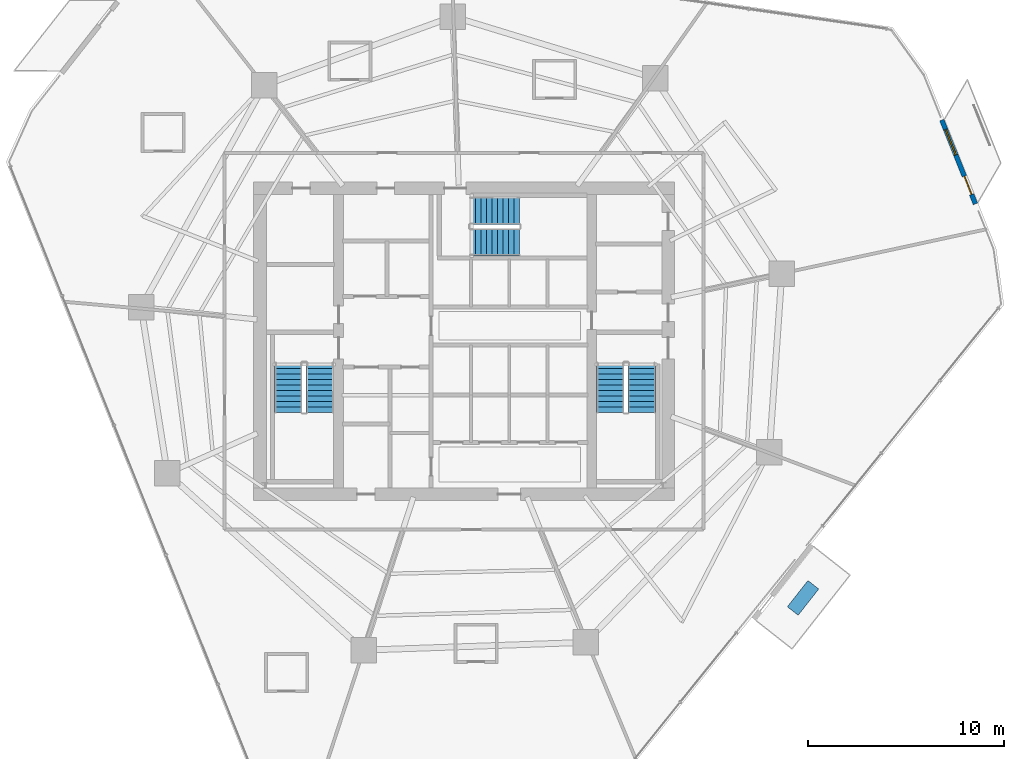
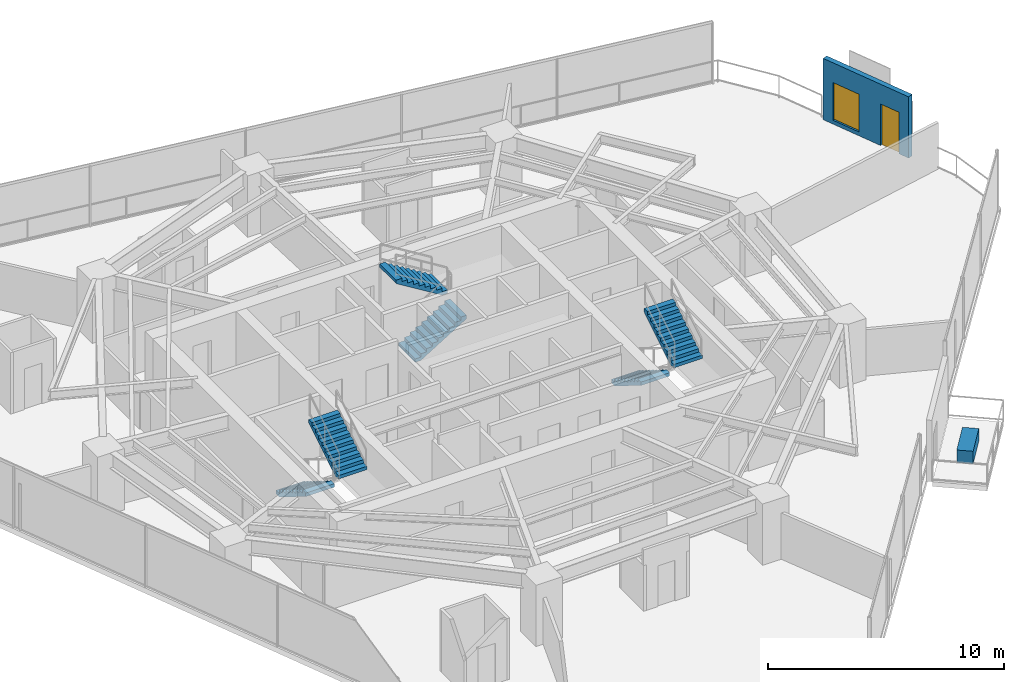
# One storey, part 28 of 32: 6 stair flights, 1 discrete accessory, 1 door, 1 wall, 1 window, 2 openings, 3 elements without a shape of their own.
"""IFC4 building model written with IfcOpenShell, lengths in metres."""

from ifc_helpers import new_model, si_unit, direction, frame, frame_2d, origin, origin_2d, place, context, subcontext, project, spatial, polyline, rectangle, outline, extrude, material, layer, layer_set, type_object, element, fill, aggregate, save


model = new_model("IFC4")

# Units and contexts
model_context = context("Model", 3, precision=1e-05, world=origin(), true_north=direction((0.0, 1.0)))
body_context = subcontext(model_context, "Body", "Model", "MODEL_VIEW")
ifc_project = project(units=[si_unit("LENGTHUNIT", "METRE"), si_unit("AREAUNIT", "SQUARE_METRE"), si_unit("VOLUMEUNIT", "CUBIC_METRE"), si_unit("PLANEANGLEUNIT", "RADIAN"), si_unit("MASSUNIT", "GRAM", prefix="KILO")], contexts=[model_context])

# Site, building, storey
site_placement = place(None, origin())
site = spatial("IfcSite", under=ifc_project, at=site_placement, CompositionType="ELEMENT")
building_placement = place(site_placement, origin())
building = spatial("IfcBuilding", under=site, at=building_placement, Name="Qarnah Convention Tower", CompositionType="ELEMENT")
storey_placement = place(building_placement, frame((0.0, 0.0, 37.35009765625)))
storey = spatial("IfcBuildingStorey", under=building, at=storey_placement, Name="L08", CompositionType="ELEMENT", Elevation=37.35009765625)

# Wall, openings, door, window
ifc_material_1 = material(Name="Precast concrete C45/55", Category="concrete")
ifc_layer = layer(ifc_material_1, 0.239990234375)
ifc_layer_set = layer_set([ifc_layer], Name="Precast concrete C45/55")
wall_type = type_object("IfcWallType", Name="WL-EXT-BAL-240", PredefinedType="SOLIDWALL", material=ifc_layer_set)
wall_placement = place(storey_placement, frame((61.541015625, 37.66796875, 0.0), z_axis=(0.0, 0.0, 1.0), x_axis=(0.371939648456, -0.92825691374, 0.0)))
wall = element("IfcWall", 1, at=wall_placement, inside=storey, type_object=wall_type, Name="L08 loggia threshold wall BAL-L08-C1", PredefinedType="SOLIDWALL", context=body_context, shape_type="SweptSolid", body=[
    extrude(rectangle(XDim=4.60009765625, YDim=0.239990234375, at=frame_2d((2.300048828125, 0.0))), origin(), (0.0, 0.0, 1.0), 3.169921875),
])
opening_1_placement = place(wall_placement, frame((3.080078125, 0.0, 0.0)))
opening_1 = element("IfcOpeningElement", 2, at=opening_1_placement, cuts=wall, Name="Opening BD-0801", PredefinedType="OPENING", context=body_context, shape_type="SweptSolid", body=[
    extrude(rectangle(XDim=1.0, YDim=2.14990234375, at=frame_2d((0.5, 1.074951171875))), frame((0.0, 0.1298828125, 0.0), z_axis=(0.0, -1.0, 0.0), x_axis=(1.0, 0.0, 0.0)), (0.0, 0.0, 1.0), 0.260009765625),
])
opening_2_placement = place(wall_placement, frame((0.52001953125, 0.0, 0.199951171875)))
opening_2 = element("IfcOpeningElement", 3, at=opening_2_placement, cuts=wall, Name="Opening WN4", PredefinedType="OPENING", context=body_context, shape_type="SweptSolid", body=[
    extrude(rectangle(XDim=1.39990234375, YDim=1.949951171875, at=frame_2d((0.699951171875, 0.97509765625))), frame((0.0, 0.1298828125, 0.0), z_axis=(0.0, -1.0, 0.0), x_axis=(1.0, 0.0, 0.0)), (0.0, 0.0, 1.0), 0.260009765625),
])
ifc_material_2 = material(Name="Black anodised aluminium", Category="aluminium")
door_type = type_object("IfcDoorType", Name="DT-BAL-1000", OperationType="NOTDEFINED", PredefinedType="DOOR", material=ifc_material_2)
door_placement = place(opening_1_placement, origin())
door = element("IfcDoor", 4, at=door_placement, inside=storey, type_object=door_type, Name="L08 balcony terrace door BAL-L08-C1", OperationType="SINGLE_SWING_RIGHT", OverallHeight=2.14990234375, OverallWidth=1.0, PredefinedType="DOOR", context=body_context, shape_type="SweptSolid", body=[
    extrude(rectangle(XDim=1.0, YDim=2.14990234375, at=frame_2d((0.5, 1.074951171875))), frame((0.0, 0.02490234375, 0.0), z_axis=(0.0, -1.0, 0.0), x_axis=(1.0, 0.0, 0.0)), (0.0, 0.0, 1.0), 0.050048828125),
])
fill(opening_1, door)
ifc_material_3 = material(Name="Tempered Low-E dark glass", Category="glass")
window_type = type_object("IfcWindowType", Name="WT-BAL-1400X2000", PartitioningType="SINGLE_PANEL", PredefinedType="WINDOW", material=ifc_material_3)
window_placement = place(opening_2_placement, origin())
window = element("IfcWindow", 5, at=window_placement, inside=storey, type_object=window_type, Name="Window BW-BAL-L08-C1", OverallHeight=1.949951171875, OverallWidth=1.39990234375, PartitioningType="SINGLE_PANEL", PredefinedType="WINDOW", context=body_context, shape_type="SweptSolid", body=[
    extrude(rectangle(XDim=1.39990234375, YDim=1.949951171875, at=frame_2d((0.699951171875, 0.97509765625))), frame((0.0, 0.030029296875, 0.0), z_axis=(0.0, -1.0, 0.0), x_axis=(1.0, 0.0, 0.0)), (0.0, 0.0, 1.0), 0.06005859375),
])
fill(opening_2, window)

# Stair, stair flights
ifc_material_4 = material(Name="Concrete C50/60", Category="concrete")
stair_type = type_object("IfcStairType", Name="STR-HTL", PredefinedType="HALF_TURN_STAIR", material=ifc_material_4)
stair_1_placement = place(storey_placement, origin())
stair_1 = element("IfcStair", 6, at=stair_1_placement, inside=storey, type_object=stair_type, Name="L08 Core exit stair ST-1", PredefinedType="HALF_TURN_STAIR")
stair_flight_type = type_object("IfcStairFlightType", Name="FLT-HTL", PredefinedType="STRAIGHT", material=ifc_material_4)
stair_flight_1_placement = place(storey_placement, frame((28.25, 25.300048828125, 0.0), z_axis=(0.0, 0.0, 1.0), x_axis=(0.0, -1.0, 0.0)))
stair_flight_1 = element("IfcStairFlight", 7, at=stair_flight_1_placement, type_object=stair_flight_type, Name="ST-1 flight 1", NumberOfRisers=10, NumberOfTreads=9, PredefinedType="STRAIGHT", RiserHeight=0.1725, TreadLength=0.28, context=body_context, shape_type="SweptSolid", body=[
    extrude(outline(polyline([(0.0, 0.0), (0.0, 0.172607421875), (0.280029296875, 0.172607421875), (0.280029296875, 0.344970703125), (0.56005859375, 0.344970703125), (0.56005859375, 0.517578125), (0.840087890625, 0.517578125), (0.840087890625, 0.68994140625), (1.1201171875, 0.68994140625), (1.1201171875, 0.862548828125), (1.39990234375, 0.862548828125), (1.39990234375, 1.034912109375), (1.679931640625, 1.034912109375), (1.679931640625, 1.20751953125), (1.9599609375, 1.20751953125), (1.9599609375, 1.3798828125), (2.239990234375, 1.3798828125), (2.239990234375, 1.552490234375), (2.52001953125, 1.552490234375), (2.52001953125, 1.72509765625), (2.52001953125, 1.37646484375), (0.285888671875, 0.0), (0.0, 0.0)])), frame((0.0, 0.699951171875, 0.0), z_axis=(0.0, -1.0, 0.0), x_axis=(1.0, 0.0, 0.0)), (0.0, 0.0, 1.0), 1.39990234375),
])
stair_flight_2_placement = place(storey_placement, frame((29.85009765625, 22.780029296875, 1.724853515625), z_axis=(0.0, 0.0, 1.0), x_axis=(0.0, 1.0, 0.0)))
stair_flight_2 = element("IfcStairFlight", 8, at=stair_flight_2_placement, type_object=stair_flight_type, Name="ST-1 flight 2", NumberOfRisers=10, NumberOfTreads=9, PredefinedType="STRAIGHT", RiserHeight=0.1725, TreadLength=0.28, context=body_context, shape_type="SweptSolid", body=[
    extrude(outline(polyline([(0.0, 0.0), (0.0, 0.172607421875), (0.280029296875, 0.172607421875), (0.280029296875, 0.344970703125), (0.56005859375, 0.344970703125), (0.56005859375, 0.517578125), (0.840087890625, 0.517578125), (0.840087890625, 0.68994140625), (1.1201171875, 0.68994140625), (1.1201171875, 0.862548828125), (1.39990234375, 0.862548828125), (1.39990234375, 1.034912109375), (1.679931640625, 1.034912109375), (1.679931640625, 1.20751953125), (1.9599609375, 1.20751953125), (1.9599609375, 1.3798828125), (2.239990234375, 1.3798828125), (2.239990234375, 1.552490234375), (2.52001953125, 1.552490234375), (2.52001953125, 1.72509765625), (2.52001953125, 1.37646484375), (0.285888671875, 0.0), (0.0, 0.0)])), frame((0.0, 0.699951171875, 0.0), z_axis=(0.0, -1.0, 0.0), x_axis=(1.0, 0.0, 0.0)), (0.0, 0.0, 1.0), 1.39990234375),
])
aggregate(stair_1, [stair_flight_1, stair_flight_2])

stair_2_placement = place(storey_placement, origin())
stair_2 = element("IfcStair", 9, at=stair_2_placement, inside=storey, type_object=stair_type, Name="L08 Core exit stair ST-2", PredefinedType="HALF_TURN_STAIR")
stair_flight_3_placement = place(storey_placement, frame((44.64990234375, 25.300048828125, 0.0), z_axis=(0.0, 0.0, 1.0), x_axis=(0.0, -1.0, 0.0)))
stair_flight_3 = element("IfcStairFlight", 10, at=stair_flight_3_placement, type_object=stair_flight_type, Name="ST-2 flight 1", NumberOfRisers=10, NumberOfTreads=9, PredefinedType="STRAIGHT", RiserHeight=0.1725, TreadLength=0.28, context=body_context, shape_type="SweptSolid", body=[
    extrude(outline(polyline([(0.0, 0.0), (0.0, 0.172607421875), (0.280029296875, 0.172607421875), (0.280029296875, 0.344970703125), (0.56005859375, 0.344970703125), (0.56005859375, 0.517578125), (0.840087890625, 0.517578125), (0.840087890625, 0.68994140625), (1.1201171875, 0.68994140625), (1.1201171875, 0.862548828125), (1.39990234375, 0.862548828125), (1.39990234375, 1.034912109375), (1.679931640625, 1.034912109375), (1.679931640625, 1.20751953125), (1.9599609375, 1.20751953125), (1.9599609375, 1.3798828125), (2.239990234375, 1.3798828125), (2.239990234375, 1.552490234375), (2.52001953125, 1.552490234375), (2.52001953125, 1.72509765625), (2.52001953125, 1.37646484375), (0.285888671875, 0.0), (0.0, 0.0)])), frame((0.0, 0.699951171875, 0.0), z_axis=(0.0, -1.0, 0.0), x_axis=(1.0, 0.0, 0.0)), (0.0, 0.0, 1.0), 1.39990234375),
])
stair_flight_4_placement = place(storey_placement, frame((46.25, 22.780029296875, 1.724853515625), z_axis=(0.0, 0.0, 1.0), x_axis=(0.0, 1.0, 0.0)))
stair_flight_4 = element("IfcStairFlight", 11, at=stair_flight_4_placement, type_object=stair_flight_type, Name="ST-2 flight 2", NumberOfRisers=10, NumberOfTreads=9, PredefinedType="STRAIGHT", RiserHeight=0.1725, TreadLength=0.28, context=body_context, shape_type="SweptSolid", body=[
    extrude(outline(polyline([(0.0, 0.0), (0.0, 0.172607421875), (0.280029296875, 0.172607421875), (0.280029296875, 0.344970703125), (0.56005859375, 0.344970703125), (0.56005859375, 0.517578125), (0.840087890625, 0.517578125), (0.840087890625, 0.68994140625), (1.1201171875, 0.68994140625), (1.1201171875, 0.862548828125), (1.39990234375, 0.862548828125), (1.39990234375, 1.034912109375), (1.679931640625, 1.034912109375), (1.679931640625, 1.20751953125), (1.9599609375, 1.20751953125), (1.9599609375, 1.3798828125), (2.239990234375, 1.3798828125), (2.239990234375, 1.552490234375), (2.52001953125, 1.552490234375), (2.52001953125, 1.72509765625), (2.52001953125, 1.37646484375), (0.285888671875, 0.0), (0.0, 0.0)])), frame((0.0, 0.699951171875, 0.0), z_axis=(0.0, -1.0, 0.0), x_axis=(1.0, 0.0, 0.0)), (0.0, 0.0, 1.0), 1.39990234375),
])
aggregate(stair_2, [stair_flight_3, stair_flight_4])

stair_3_placement = place(storey_placement, origin())
stair_3 = element("IfcStair", 12, at=stair_3_placement, inside=storey, type_object=stair_type, Name="L08 Core exit stair ST-3", PredefinedType="HALF_TURN_STAIR")
stair_flight_5_placement = place(storey_placement, frame((37.5, 31.449951171875, 0.0), z_axis=(0.0, 0.0, 1.0), x_axis=(1.0, 0.0, 0.0)))
stair_flight_5 = element("IfcStairFlight", 13, at=stair_flight_5_placement, type_object=stair_flight_type, Name="ST-3 flight 1", NumberOfRisers=10, NumberOfTreads=9, PredefinedType="STRAIGHT", RiserHeight=0.1725, TreadLength=0.28, context=body_context, shape_type="SweptSolid", body=[
    extrude(outline(polyline([(0.0, 0.0), (0.0, 0.172607421875), (0.280029296875, 0.172607421875), (0.280029296875, 0.344970703125), (0.56005859375, 0.344970703125), (0.56005859375, 0.517578125), (0.840087890625, 0.517578125), (0.840087890625, 0.68994140625), (1.1201171875, 0.68994140625), (1.1201171875, 0.862548828125), (1.39990234375, 0.862548828125), (1.39990234375, 1.034912109375), (1.679931640625, 1.034912109375), (1.679931640625, 1.20751953125), (1.9599609375, 1.20751953125), (1.9599609375, 1.3798828125), (2.239990234375, 1.3798828125), (2.239990234375, 1.552490234375), (2.52001953125, 1.552490234375), (2.52001953125, 1.72509765625), (2.52001953125, 1.37646484375), (0.285888671875, 0.0), (0.0, 0.0)])), frame((0.0, 0.699951171875, 0.0), z_axis=(0.0, -1.0, 0.0), x_axis=(1.0, 0.0, 0.0)), (0.0, 0.0, 1.0), 1.39990234375),
])
stair_flight_6_placement = place(storey_placement, frame((40.02001953125, 33.050048828125, 1.724853515625), z_axis=(0.0, 0.0, 1.0), x_axis=(-1.0, 0.0, 0.0)))
stair_flight_6 = element("IfcStairFlight", 14, at=stair_flight_6_placement, type_object=stair_flight_type, Name="ST-3 flight 2", NumberOfRisers=10, NumberOfTreads=9, PredefinedType="STRAIGHT", RiserHeight=0.1725, TreadLength=0.28, context=body_context, shape_type="SweptSolid", body=[
    extrude(outline(polyline([(0.0, 0.0), (0.0, 0.172607421875), (0.280029296875, 0.172607421875), (0.280029296875, 0.344970703125), (0.56005859375, 0.344970703125), (0.56005859375, 0.517578125), (0.840087890625, 0.517578125), (0.840087890625, 0.68994140625), (1.1201171875, 0.68994140625), (1.1201171875, 0.862548828125), (1.39990234375, 0.862548828125), (1.39990234375, 1.034912109375), (1.679931640625, 1.034912109375), (1.679931640625, 1.20751953125), (1.9599609375, 1.20751953125), (1.9599609375, 1.3798828125), (2.239990234375, 1.3798828125), (2.239990234375, 1.552490234375), (2.52001953125, 1.552490234375), (2.52001953125, 1.72509765625), (2.52001953125, 1.37646484375), (0.285888671875, 0.0), (0.0, 0.0)])), frame((0.0, 0.699951171875, 0.0), z_axis=(0.0, -1.0, 0.0), x_axis=(1.0, 0.0, 0.0)), (0.0, 0.0, 1.0), 1.39990234375),
])
aggregate(stair_3, [stair_flight_5, stair_flight_6])

# Discrete accessory
discrete_accessory_type = type_object("IfcDiscreteAccessoryType", Name="ACC-PLANTER-900", PredefinedType="USERDEFINED", material=ifc_material_1)
discrete_accessory_placement = place(storey_placement, frame((54.469970703125, 13.322021484375, 0.0), z_axis=(0.0, 0.0, 1.0), x_axis=(0.61772237046, 0.786396257006, 0.0)))
element("IfcDiscreteAccessory", 15, at=discrete_accessory_placement, inside=storey, type_object=discrete_accessory_type, Name="L08 irrigated desert balcony PLANTER VN-L08", ObjectType="PLANTER", PredefinedType="USERDEFINED", context=body_context, shape_type="SweptSolid", body=[
    extrude(rectangle(XDim=1.699951171875, YDim=0.699951171875, at=origin_2d()), origin(), (0.0, 0.0, 1.0), 0.64990234375),
])

save(model, "model.ifc")
